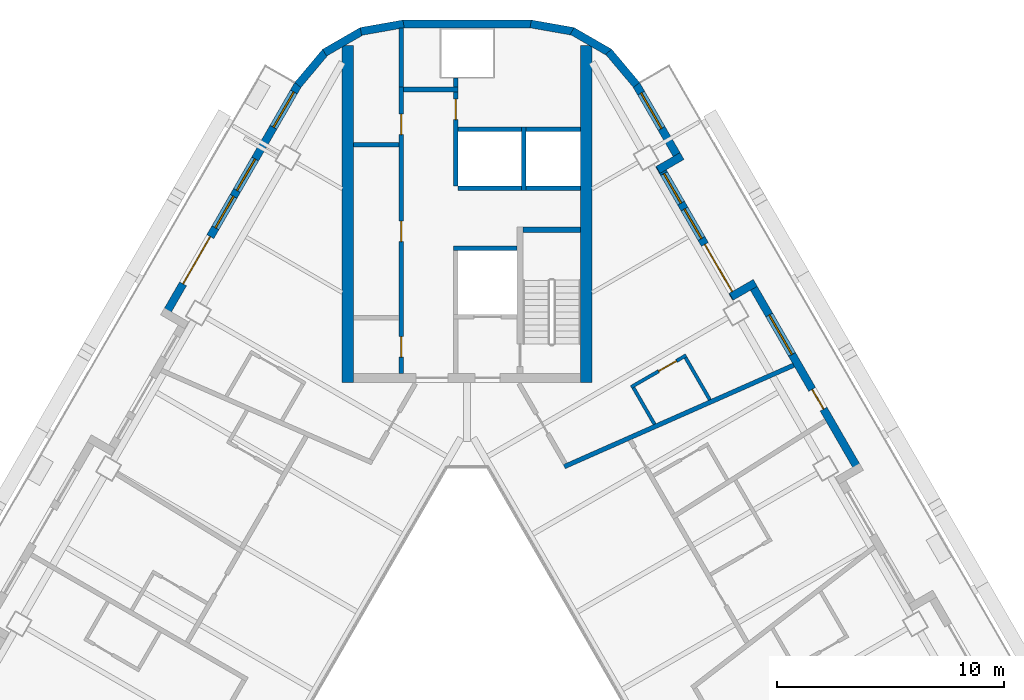
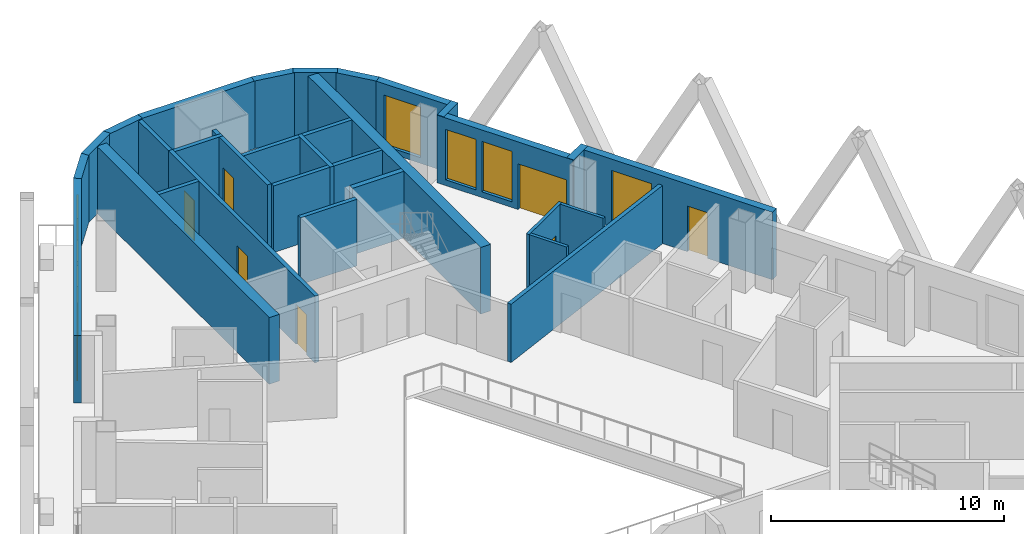
# One storey, part 7 of 14: 32 walls, 8 doors, 7 windows, 15 openings.
"""IFC4 building model written with IfcOpenShell, lengths in metres."""

from ifc_helpers import new_model, si_unit, direction, frame, frame_2d, origin, place, context, subcontext, project, spatial, rectangle, extrude, material, layer, layer_set, type_object, element, fill, save


model = new_model("IFC4")

# Units and contexts
model_context = context("Model", 3, precision=1e-05, world=origin(), true_north=direction((0.0, 1.0)))
body_context = subcontext(model_context, "Body", "Model", "MODEL_VIEW")
ifc_project = project(units=[si_unit("LENGTHUNIT", "METRE"), si_unit("AREAUNIT", "SQUARE_METRE"), si_unit("VOLUMEUNIT", "CUBIC_METRE"), si_unit("PLANEANGLEUNIT", "RADIAN"), si_unit("MASSUNIT", "GRAM", prefix="KILO")], contexts=[model_context])

# Site, building, storey
site_placement = place(None, origin())
site = spatial("IfcSite", under=ifc_project, at=site_placement, CompositionType="ELEMENT")
building_placement = place(site_placement, origin())
building = spatial("IfcBuilding", under=site, at=building_placement, Name="Apuvela Tower Hotel", CompositionType="ELEMENT")
storey_placement = place(building_placement, frame((0.0, 0.0, 176.199951171875)))
storey = spatial("IfcBuildingStorey", under=building, at=storey_placement, Name="L42", CompositionType="ELEMENT", Elevation=176.199951171875)

# Walls
ifc_material_1 = material(Name="Concrete C50/60", Category="concrete")
ifc_layer_1 = layer(ifc_material_1, 0.5)
ifc_layer_set_1 = layer_set([ifc_layer_1], Name="COR-WALL-CORE-500")
wall_type_1 = type_object("IfcWallType", Name="COR-WALL-CORE-500", PredefinedType="SHEAR", material=ifc_layer_set_1)
for number, where, z_axis, x_axis, name in (
    (1, (5.25, 12.89990234375, 0.0), (0.0, 0.0, 1.0), (0.0, 1.0, 0.0), "Core wall N"),
    (2, (-5.25, 12.89990234375, 0.0), (0.0, 0.0, 1.0), (0.0, 1.0, 0.0), "Core wall N"),
):
    element("IfcWall", number, at=place(storey_placement, frame(where, z_axis=z_axis, x_axis=x_axis)), inside=storey, type_object=wall_type_1, Name=name, PredefinedType="SHEAR", context=body_context, shape_type="SweptSolid", body=[
        extrude(rectangle(XDim=14.8369140625, YDim=0.5, at=frame_2d((7.41845703125, 0.0))), origin(), (0.0, 0.0, 1.0), 3.5),
    ])
ifc_material_2 = material(Name="Blockwork 200 mm plastered", Category="masonry")
ifc_layer_2 = layer(ifc_material_2, 0.199951171875)
ifc_layer_set_2 = layer_set([ifc_layer_2], Name="COR-WALL-PART-200")
wall_type_2 = type_object("IfcWallType", Name="COR-WALL-PART-200", PredefinedType="PARTITIONING", material=ifc_layer_set_2)
wall_1_placement = place(storey_placement, frame((5.0, 21.449951171875, 0.0), z_axis=(0.0, 0.0, 1.0), x_axis=(-1.0, 0.0, 0.0)))
element("IfcWall", 3, at=wall_1_placement, inside=storey, type_object=wall_type_2, Name="Partition N", PredefinedType="PARTITIONING", context=body_context, shape_type="SweptSolid", body=[
    extrude(rectangle(XDim=2.39990234375, YDim=0.199951171875, at=frame_2d((1.199951171875, 0.0))), origin(), (0.0, 0.0, 1.0), 3.5),
])
wall_2_placement = place(storey_placement, frame((2.39990234375, 21.449951171875, 0.0), z_axis=(0.0, 0.0, 1.0), x_axis=(-1.0, 0.0, 0.0)))
element("IfcWall", 4, at=wall_2_placement, inside=storey, type_object=wall_type_2, Name="Partition N", PredefinedType="PARTITIONING", context=body_context, shape_type="SweptSolid", body=[
    extrude(rectangle(XDim=2.7998046875, YDim=0.199951171875, at=frame_2d((1.39990234375, 0.0))), origin(), (0.0, 0.0, 1.0), 3.5),
])
ifc_layer_3 = layer(ifc_material_1, 0.199951171875)
ifc_layer_set_3 = layer_set([ifc_layer_3], Name="COR-WALL-SHAFT-200")
wall_type_3 = type_object("IfcWallType", Name="COR-WALL-SHAFT-200", PredefinedType="SHEAR", material=ifc_layer_set_3)
wall_3_placement = place(storey_placement, frame((2.199951171875, 18.800048828125, 0.0), z_axis=(0.0, 0.0, 1.0), x_axis=(-1.0, 0.0, 0.0)))
element("IfcWall", 5, at=wall_3_placement, inside=storey, type_object=wall_type_3, Name="Shaft wall N", PredefinedType="SHEAR", context=body_context, shape_type="SweptSolid", body=[
    extrude(rectangle(XDim=2.800048828125, YDim=0.199951171875, at=frame_2d((1.39990234375, 0.0))), origin(), (0.0, 0.0, 1.0), 3.5),
])

# Wall, openings, doors
wall_4_placement = place(storey_placement, frame((-2.89990234375, 13.300048828125, 0.0), z_axis=(0.0, 0.0, 1.0), x_axis=(0.0, 1.0, 0.0)))
wall_4 = element("IfcWall", 6, at=wall_4_placement, inside=storey, type_object=wall_type_3, Name="Shaft wall N", PredefinedType="SHEAR", context=body_context, shape_type="SweptSolid", body=[
    extrude(rectangle(XDim=12.599853515625, YDim=0.199951171875, at=frame_2d((6.2998046875, 0.0))), origin(), (0.0, 0.0, 1.0), 3.5),
])
opening_1_placement = place(wall_4_placement, frame((0.719970703125, 0.0, 0.0)))
opening_1 = element("IfcOpeningElement", 7, at=opening_1_placement, cuts=wall_4, Name="Opening N-RE1", PredefinedType="OPENING", context=body_context, shape_type="SweptSolid", body=[
    extrude(rectangle(XDim=0.89990234375, YDim=2.10009765625, at=frame_2d((0.449951171875, 1.050048828125))), frame((0.0, 0.10986328125, 0.0), z_axis=(0.0, -1.0, 0.0), x_axis=(1.0, 0.0, 0.0)), (0.0, 0.0, 1.0), 0.219970703125),
])
opening_2_placement = place(wall_4_placement, frame((5.800048828125, 0.0, 0.0)))
opening_2 = element("IfcOpeningElement", 8, at=opening_2_placement, cuts=wall_4, Name="Opening N-RE2", PredefinedType="OPENING", context=body_context, shape_type="SweptSolid", body=[
    extrude(rectangle(XDim=0.89990234375, YDim=2.10009765625, at=frame_2d((0.449951171875, 1.050048828125))), frame((0.0, 0.10986328125, 0.0), z_axis=(0.0, -1.0, 0.0), x_axis=(1.0, 0.0, 0.0)), (0.0, 0.0, 1.0), 0.219970703125),
])
opening_3_placement = place(wall_4_placement, frame((10.510009765625, 0.0, 0.0)))
opening_3 = element("IfcOpeningElement", 9, at=opening_3_placement, cuts=wall_4, Name="Opening N-REP", PredefinedType="OPENING", context=body_context, shape_type="SweptSolid", body=[
    extrude(rectangle(XDim=0.89990234375, YDim=2.10009765625, at=frame_2d((0.449951171875, 1.050048828125))), frame((0.0, 0.10986328125, 0.0), z_axis=(0.0, -1.0, 0.0), x_axis=(1.0, 0.0, 0.0)), (0.0, 0.0, 1.0), 0.219970703125),
])
ifc_material_3 = material(Name="Steel fire door, powder coated", Category="steel")
door_type_1 = type_object("IfcDoorType", Name="COR-DR-900", OperationType="NOTDEFINED", PredefinedType="DOOR", material=ifc_material_3)
door_1_placement = place(opening_1_placement, origin())
door_1 = element("IfcDoor", 10, at=door_1_placement, inside=storey, type_object=door_type_1, Name="Store door N-RE1", OperationType="SINGLE_SWING_LEFT", OverallHeight=2.10009765625, OverallWidth=0.89990234375, PredefinedType="DOOR", context=body_context, shape_type="SweptSolid", body=[
    extrude(rectangle(XDim=0.89990234375, YDim=2.10009765625, at=frame_2d((0.449951171875, 1.050048828125))), frame((0.0, 0.02490234375, 0.0), z_axis=(0.0, -1.0, 0.0), x_axis=(1.0, 0.0, 0.0)), (0.0, 0.0, 1.0), 0.050048828125),
])
fill(opening_1, door_1)
door_2_placement = place(opening_2_placement, origin())
door_2 = element("IfcDoor", 11, at=door_2_placement, inside=storey, type_object=door_type_1, Name="Store door N-RE2", OperationType="SINGLE_SWING_RIGHT", OverallHeight=2.10009765625, OverallWidth=0.89990234375, PredefinedType="DOOR", context=body_context, shape_type="SweptSolid", body=[
    extrude(rectangle(XDim=0.89990234375, YDim=2.10009765625, at=frame_2d((0.449951171875, 1.050048828125))), frame((0.0, 0.02490234375, 0.0), z_axis=(0.0, -1.0, 0.0), x_axis=(1.0, 0.0, 0.0)), (0.0, 0.0, 1.0), 0.050048828125),
])
fill(opening_2, door_2)
door_3_placement = place(opening_3_placement, origin())
door_3 = element("IfcDoor", 12, at=door_3_placement, inside=storey, type_object=door_type_1, Name="Store door N-REP", OperationType="SINGLE_SWING_RIGHT", OverallHeight=2.10009765625, OverallWidth=0.89990234375, PredefinedType="DOOR", context=body_context, shape_type="SweptSolid", body=[
    extrude(rectangle(XDim=0.89990234375, YDim=2.10009765625, at=frame_2d((0.449951171875, 1.050048828125))), frame((0.0, 0.02490234375, 0.0), z_axis=(0.0, -1.0, 0.0), x_axis=(1.0, 0.0, 0.0)), (0.0, 0.0, 1.0), 0.050048828125),
])
fill(opening_3, door_3)

# Wall
wall_5_placement = place(storey_placement, frame((-0.39990234375, 25.800048828125, 0.0), z_axis=(0.0, 0.0, 1.0), x_axis=(-1.0, 0.0, 0.0)))
element("IfcWall", 13, at=wall_5_placement, inside=storey, type_object=wall_type_3, Name="Shaft wall N", PredefinedType="SHEAR", context=body_context, shape_type="SweptSolid", body=[
    extrude(rectangle(XDim=2.400146484375, YDim=0.199951171875, at=frame_2d((1.2001953125, 0.0))), origin(), (0.0, 0.0, 1.0), 3.5),
])

# Wall, opening, door
wall_6_placement = place(storey_placement, frame((-0.5, 21.550048828125, 0.0), z_axis=(0.0, 0.0, 1.0), x_axis=(0.0, 1.0, 0.0)))
wall_6 = element("IfcWall", 14, at=wall_6_placement, inside=storey, type_object=wall_type_3, Name="Shaft wall N", PredefinedType="SHEAR", context=body_context, shape_type="SweptSolid", body=[
    extrude(rectangle(XDim=4.14990234375, YDim=0.199951171875, at=frame_2d((2.074951171875, 0.0))), origin(), (0.0, 0.0, 1.0), 3.5),
])
opening_4_placement = place(wall_6_placement, frame((2.925048828125, 0.0, 0.0)))
opening_4 = element("IfcOpeningElement", 15, at=opening_4_placement, cuts=wall_6, Name="Opening N-RSP", PredefinedType="OPENING", context=body_context, shape_type="SweptSolid", body=[
    extrude(rectangle(XDim=0.89990234375, YDim=2.10009765625, at=frame_2d((0.449951171875, 1.050048828125))), frame((0.0, 0.10986328125, 0.0), z_axis=(0.0, -1.0, 0.0), x_axis=(1.0, 0.0, 0.0)), (0.0, 0.0, 1.0), 0.219970703125),
])
door_4_placement = place(opening_4_placement, frame((0.89990234375, 0.0, 0.0), z_axis=(0.0, 0.0, 1.0), x_axis=(-1.0, 0.0, 0.0)))
door_4 = element("IfcDoor", 16, at=door_4_placement, inside=storey, type_object=door_type_1, Name="Store door N-RSP", OperationType="SINGLE_SWING_LEFT", OverallHeight=2.10009765625, OverallWidth=0.89990234375, PredefinedType="DOOR", context=body_context, shape_type="SweptSolid", body=[
    extrude(rectangle(XDim=0.89990234375, YDim=2.10009765625, at=frame_2d((0.449951171875, 1.050048828125))), frame((0.0, 0.02490234375, 0.0), z_axis=(0.0, -1.0, 0.0), x_axis=(1.0, 0.0, 0.0)), (0.0, 0.0, 1.0), 0.050048828125),
])
fill(opening_4, door_4)

# Walls
wall_7_placement = place(storey_placement, frame((-3.0, 23.360107421875, 0.0), z_axis=(0.0, 0.0, 1.0), x_axis=(-1.0, 0.0, 0.0)))
element("IfcWall", 17, at=wall_7_placement, inside=storey, type_object=wall_type_3, Name="Shaft wall N", PredefinedType="SHEAR", context=body_context, shape_type="SweptSolid", body=[
    extrude(rectangle(XDim=2.0, YDim=0.199951171875, at=frame_2d((1.0, 0.0))), origin(), (0.0, 0.0, 1.0), 3.5),
])
wall_8_placement = place(storey_placement, frame((-0.5, 25.89990234375, 0.0), z_axis=(0.0, 0.0, 1.0), x_axis=(0.0, 1.0, 0.0)))
element("IfcWall", 18, at=wall_8_placement, inside=storey, type_object=wall_type_3, Name="Shaft wall N", PredefinedType="SHEAR", context=body_context, shape_type="SweptSolid", body=[
    extrude(rectangle(XDim=0.400146484375, YDim=0.199951171875, at=frame_2d((0.2001953125, 0.0))), origin(), (0.0, 0.0, 1.0), 3.5),
])
wall_9_placement = place(storey_placement, frame((-2.89990234375, 25.89990234375, 0.0), z_axis=(0.0, 0.0, 1.0), x_axis=(0.0, 1.0, 0.0)))
element("IfcWall", 19, at=wall_9_placement, inside=storey, type_object=wall_type_3, Name="Shaft wall N", PredefinedType="SHEAR", context=body_context, shape_type="SweptSolid", body=[
    extrude(rectangle(XDim=2.60009765625, YDim=0.199951171875, at=frame_2d((1.300048828125, 0.0))), origin(), (0.0, 0.0, 1.0), 3.5),
])
wall_10_placement = place(storey_placement, frame((2.5, 21.35009765625, 0.0), z_axis=(0.0, 0.0, 1.0), x_axis=(0.0, 1.0, 0.0)))
element("IfcWall", 20, at=wall_10_placement, inside=storey, type_object=wall_type_3, Name="Shaft wall N", PredefinedType="SHEAR", context=body_context, shape_type="SweptSolid", body=[
    extrude(rectangle(XDim=2.7998046875, YDim=0.199951171875, at=frame_2d((1.39990234375, 0.0))), origin(), (0.0, 0.0, 1.0), 3.5),
])
wall_11_placement = place(storey_placement, frame((5.0, 24.050048828125, 0.0), z_axis=(0.0, 0.0, 1.0), x_axis=(-1.0, 0.0, 0.0)))
element("IfcWall", 21, at=wall_11_placement, inside=storey, type_object=wall_type_3, Name="Shaft wall N", PredefinedType="SHEAR", context=body_context, shape_type="SweptSolid", body=[
    extrude(rectangle(XDim=2.39990234375, YDim=0.199951171875, at=frame_2d((1.199951171875, 0.0))), origin(), (0.0, 0.0, 1.0), 3.5),
])
wall_12_placement = place(storey_placement, frame((2.39990234375, 24.050048828125, 0.0), z_axis=(0.0, 0.0, 1.0), x_axis=(-1.0, 0.0, 0.0)))
element("IfcWall", 22, at=wall_12_placement, inside=storey, type_object=wall_type_3, Name="Shaft wall N", PredefinedType="SHEAR", context=body_context, shape_type="SweptSolid", body=[
    extrude(rectangle(XDim=2.7998046875, YDim=0.199951171875, at=frame_2d((1.39990234375, 0.0))), origin(), (0.0, 0.0, 1.0), 3.5),
])
ifc_layer_4 = layer(ifc_material_1, 0.25)
ifc_layer_set_4 = layer_set([ifc_layer_4], Name="COR-WALL-STAIR-250")
wall_type_4 = type_object("IfcWallType", Name="COR-WALL-STAIR-250", PredefinedType="SHEAR", material=ifc_layer_set_4)
wall_13_placement = place(storey_placement, frame((5.0, 19.625, 0.0), z_axis=(0.0, 0.0, 1.0), x_axis=(-1.0, 0.0, 0.0)))
element("IfcWall", 23, at=wall_13_placement, inside=storey, type_object=wall_type_4, Name="Stair wall N", PredefinedType="SHEAR", context=body_context, shape_type="SweptSolid", body=[
    extrude(rectangle(XDim=2.550048828125, YDim=0.25, at=frame_2d((1.27490234375, 0.0))), origin(), (0.0, 0.0, 1.0), 3.5),
])

# Wall, openings, door, windows
ifc_material_4 = material(Name="Concrete C40/50, dark pigmented precast panel", Category="concrete")
ifc_layer_5 = layer(ifc_material_4, 0.35009765625)
ifc_layer_set_5 = layer_set([ifc_layer_5], Name="ENV-WALL-350")
wall_type_5 = type_object("IfcWallType", Name="ENV-WALL-350", PredefinedType="SOLIDWALL", material=ifc_layer_set_5)
wall_14_placement = place(storey_placement, frame((-7.440673828125, 26.0224609375, 0.0), z_axis=(0.0, 0.0, 1.0), x_axis=(-0.499992533062, -0.86602971478, 0.0)))
wall_14 = element("IfcWall", 24, at=wall_14_placement, inside=storey, type_object=wall_type_5, Name="External wall L42-01", PredefinedType="SOLIDWALL", context=body_context, shape_type="SweptSolid", body=[
    extrude(rectangle(XDim=11.815673828125, YDim=0.35009765625, at=frame_2d((5.90771484375, 0.0))), origin(), (0.0, 0.0, 1.0), 3.550048828125),
])
opening_5_placement = place(wall_14_placement, frame((0.381103515625, 0.0, 0.300048828125)))
opening_5 = element("IfcOpeningElement", 25, at=opening_5_placement, cuts=wall_14, Name="Opening WN18", PredefinedType="OPENING", context=body_context, shape_type="SweptSolid", body=[
    extrude(rectangle(XDim=1.800048828125, YDim=2.64990234375, at=frame_2d((0.89990234375, 1.324951171875))), frame((0.0, 0.18505859375, 0.0), z_axis=(0.0, -1.0, 0.0), x_axis=(1.0, 0.0, 0.0)), (0.0, 0.0, 1.0), 0.3701171875),
])
opening_6_placement = place(wall_14_placement, frame((7.740478515625, 0.0, 0.0)))
opening_6 = element("IfcOpeningElement", 26, at=opening_6_placement, cuts=wall_14, Name="Opening BD24", PredefinedType="OPENING", context=body_context, shape_type="SweptSolid", body=[
    extrude(rectangle(XDim=2.39990234375, YDim=2.39990234375, at=frame_2d((1.199951171875, 1.199951171875))), frame((0.0, 0.18505859375, 0.0), z_axis=(0.0, -1.0, 0.0), x_axis=(1.0, 0.0, 0.0)), (0.0, 0.0, 1.0), 0.3701171875),
])
opening_7_placement = place(wall_14_placement, frame((3.791015625, 0.0, 0.300048828125)))
opening_7 = element("IfcOpeningElement", 27, at=opening_7_placement, cuts=wall_14, Name="Opening WN16", PredefinedType="OPENING", context=body_context, shape_type="SweptSolid", body=[
    extrude(rectangle(XDim=1.60009765625, YDim=2.64990234375, at=frame_2d((0.800048828125, 1.324951171875))), frame((0.0, 0.18505859375, 0.0), z_axis=(0.0, -1.0, 0.0), x_axis=(1.0, 0.0, 0.0)), (0.0, 0.0, 1.0), 0.3701171875),
])
opening_8_placement = place(wall_14_placement, frame((5.69091796875, 0.0, 0.300048828125)))
opening_8 = element("IfcOpeningElement", 28, at=opening_8_placement, cuts=wall_14, Name="Opening WN16", PredefinedType="OPENING", context=body_context, shape_type="SweptSolid", body=[
    extrude(rectangle(XDim=1.60009765625, YDim=2.64990234375, at=frame_2d((0.800048828125, 1.324951171875))), frame((0.0, 0.18505859375, 0.0), z_axis=(0.0, -1.0, 0.0), x_axis=(1.0, 0.0, 0.0)), (0.0, 0.0, 1.0), 0.3701171875),
])
ifc_material_5 = material(Name="Aluminium 6063-T6, dark bronze anodised frame with dark tinted laminated glass", Category="aluminium")
door_type_2 = type_object("IfcDoorType", Name="ENV-DOOR-BALCONY-2400x2400", OperationType="SLIDING_TO_LEFT", PredefinedType="DOOR", material=ifc_material_5)
door_5_placement = place(opening_6_placement, frame((2.39990234375, 0.0, 0.0), z_axis=(0.0, 0.0, 1.0), x_axis=(-1.0, 0.0, 0.0)))
door_5 = element("IfcDoor", 29, at=door_5_placement, inside=storey, type_object=door_type_2, Name="Balcony door BD24", OperationType="SLIDING_TO_LEFT", OverallHeight=2.39990234375, OverallWidth=2.39990234375, PredefinedType="DOOR", context=body_context, shape_type="SweptSolid", body=[
    extrude(rectangle(XDim=2.39990234375, YDim=2.39990234375, at=frame_2d((1.199951171875, 1.199951171875))), frame((0.0, 0.02490234375, 0.0), z_axis=(0.0, -1.0, 0.0), x_axis=(1.0, 0.0, 0.0)), (0.0, 0.0, 1.0), 0.050048828125),
])
fill(opening_6, door_5)
ifc_material_6 = material(Name="Glass, dark tinted laminated insulated glazing unit", Category="glass")
window_type_1 = type_object("IfcWindowType", Name="ENV-WIN-1600x2650", PartitioningType="SINGLE_PANEL", PredefinedType="WINDOW", material=ifc_material_6)
window_1_placement = place(opening_7_placement, origin())
window_1 = element("IfcWindow", 30, at=window_1_placement, inside=storey, type_object=window_type_1, Name="Window WN16", OverallHeight=2.64990234375, OverallWidth=1.60009765625, PartitioningType="SINGLE_PANEL", PredefinedType="WINDOW", context=body_context, shape_type="SweptSolid", body=[
    extrude(rectangle(XDim=1.60009765625, YDim=2.64990234375, at=frame_2d((0.800048828125, 1.324951171875))), frame((0.0, 0.030029296875, 0.0), z_axis=(0.0, -1.0, 0.0), x_axis=(1.0, 0.0, 0.0)), (0.0, 0.0, 1.0), 0.06005859375),
])
fill(opening_7, window_1)
window_2_placement = place(opening_8_placement, origin())
window_2 = element("IfcWindow", 31, at=window_2_placement, inside=storey, type_object=window_type_1, Name="Window WN16", OverallHeight=2.64990234375, OverallWidth=1.60009765625, PartitioningType="SINGLE_PANEL", PredefinedType="WINDOW", context=body_context, shape_type="SweptSolid", body=[
    extrude(rectangle(XDim=1.60009765625, YDim=2.64990234375, at=frame_2d((0.800048828125, 1.324951171875))), frame((0.0, 0.030029296875, 0.0), z_axis=(0.0, -1.0, 0.0), x_axis=(1.0, 0.0, 0.0)), (0.0, 0.0, 1.0), 0.06005859375),
])
fill(opening_8, window_2)
window_type_2 = type_object("IfcWindowType", Name="ENV-WIN-1800x2650", PartitioningType="SINGLE_PANEL", PredefinedType="WINDOW", material=ifc_material_6)
window_3_placement = place(opening_5_placement, origin())
window_3 = element("IfcWindow", 32, at=window_3_placement, inside=storey, type_object=window_type_2, Name="Window WN18", OverallHeight=2.64990234375, OverallWidth=1.800048828125, PartitioningType="SINGLE_PANEL", PredefinedType="WINDOW", context=body_context, shape_type="SweptSolid", body=[
    extrude(rectangle(XDim=1.800048828125, YDim=2.64990234375, at=frame_2d((0.89990234375, 1.324951171875))), frame((0.0, 0.030029296875, 0.0), z_axis=(0.0, -1.0, 0.0), x_axis=(1.0, 0.0, 0.0)), (0.0, 0.0, 1.0), 0.06005859375),
])
fill(opening_5, window_3)

# Wall, openings, door, window
wall_15_placement = place(storey_placement, frame((17.298583984375, 8.947998046875, 0.0), z_axis=(0.0, 0.0, 1.0), x_axis=(-0.500010041276, 0.866019606374, 0.0)))
wall_15 = element("IfcWall", 33, at=wall_15_placement, inside=storey, type_object=wall_type_5, Name="External wall L42-37", PredefinedType="SOLIDWALL", context=body_context, shape_type="SweptSolid", body=[
    extrude(rectangle(XDim=9.699951171875, YDim=0.35009765625, at=frame_2d((4.85009765625, 0.0))), origin(), (0.0, 0.0, 1.0), 3.550048828125),
])
opening_9_placement = place(wall_15_placement, frame((3.209716796875, 0.0, 0.0)))
opening_9 = element("IfcOpeningElement", 34, at=opening_9_placement, cuts=wall_15, Name="Opening BD10", PredefinedType="OPENING", context=body_context, shape_type="SweptSolid", body=[
    extrude(rectangle(XDim=1.0, YDim=2.39990234375, at=frame_2d((0.5, 1.199951171875))), frame((0.0, 0.18505859375, 0.0), z_axis=(0.0, -1.0, 0.0), x_axis=(1.0, 0.0, 0.0)), (0.0, 0.0, 1.0), 0.3701171875),
])
opening_10_placement = place(wall_15_placement, frame((5.989990234375, 0.0, 0.300048828125)))
opening_10 = element("IfcOpeningElement", 35, at=opening_10_placement, cuts=wall_15, Name="Opening WN20", PredefinedType="OPENING", context=body_context, shape_type="SweptSolid", body=[
    extrude(rectangle(XDim=2.0, YDim=2.64990234375, at=frame_2d((1.0, 1.324951171875))), frame((0.0, 0.18505859375, 0.0), z_axis=(0.0, -1.0, 0.0), x_axis=(1.0, 0.0, 0.0)), (0.0, 0.0, 1.0), 0.3701171875),
])
door_type_3 = type_object("IfcDoorType", Name="ENV-DOOR-BALCONY-1000x2400", OperationType="SLIDING_TO_LEFT", PredefinedType="DOOR", material=ifc_material_5)
door_6_placement = place(opening_9_placement, frame((1.0, 0.0, 0.0), z_axis=(0.0, 0.0, 1.0), x_axis=(-1.0, 0.0, 0.0)))
door_6 = element("IfcDoor", 36, at=door_6_placement, inside=storey, type_object=door_type_3, Name="Balcony door BD10", OperationType="SLIDING_TO_LEFT", OverallHeight=2.39990234375, OverallWidth=1.0, PredefinedType="DOOR", context=body_context, shape_type="SweptSolid", body=[
    extrude(rectangle(XDim=1.0, YDim=2.39990234375, at=frame_2d((0.5, 1.199951171875))), frame((0.0, 0.02490234375, 0.0), z_axis=(0.0, -1.0, 0.0), x_axis=(1.0, 0.0, 0.0)), (0.0, 0.0, 1.0), 0.050048828125),
])
fill(opening_9, door_6)
window_type_3 = type_object("IfcWindowType", Name="ENV-WIN-2000x2650", PartitioningType="SINGLE_PANEL", PredefinedType="WINDOW", material=ifc_material_6)
window_4_placement = place(opening_10_placement, origin())
window_4 = element("IfcWindow", 37, at=window_4_placement, inside=storey, type_object=window_type_3, Name="Window WN20", OverallHeight=2.64990234375, OverallWidth=2.0, PartitioningType="SINGLE_PANEL", PredefinedType="WINDOW", context=body_context, shape_type="SweptSolid", body=[
    extrude(rectangle(XDim=2.0, YDim=2.64990234375, at=frame_2d((1.0, 1.324951171875))), frame((0.0, 0.030029296875, 0.0), z_axis=(0.0, -1.0, 0.0), x_axis=(1.0, 0.0, 0.0)), (0.0, 0.0, 1.0), 0.06005859375),
])
fill(opening_10, window_4)

# Wall
wall_16_placement = place(storey_placement, frame((12.6875, 17.284423828125, 0.0), z_axis=(0.0, 0.0, 1.0), x_axis=(-0.865955602162, -0.500120880472, 0.0)))
element("IfcWall", 38, at=wall_16_placement, inside=storey, type_object=wall_type_5, Name="External wall L42-38", PredefinedType="SOLIDWALL", context=body_context, shape_type="SweptSolid", body=[
    extrude(rectangle(XDim=1.219970703125, YDim=0.35009765625, at=frame_2d((0.60986328125, 0.0))), origin(), (0.0, 0.0, 1.0), 3.550048828125),
])

# Wall, openings, door, windows
wall_17_placement = place(storey_placement, frame((11.8291015625, 16.621337890625, 0.0), z_axis=(0.0, 0.0, 1.0), x_axis=(-0.500003597184, 0.866023326939, 0.0)))
wall_17 = element("IfcWall", 39, at=wall_17_placement, inside=storey, type_object=wall_type_5, Name="External wall L42-39", PredefinedType="SOLIDWALL", context=body_context, shape_type="SweptSolid", body=[
    extrude(rectangle(XDim=6.740234375, YDim=0.35009765625, at=frame_2d((3.3701171875, 0.0))), origin(), (0.0, 0.0, 1.0), 3.550048828125),
])
opening_11_placement = place(wall_17_placement, frame((0.320068359375, 0.0, 0.0)))
opening_11 = element("IfcOpeningElement", 40, at=opening_11_placement, cuts=wall_17, Name="Opening BD24", PredefinedType="OPENING", context=body_context, shape_type="SweptSolid", body=[
    extrude(rectangle(XDim=2.39990234375, YDim=2.39990234375, at=frame_2d((1.199951171875, 1.199951171875))), frame((0.0, 0.18505859375, 0.0), z_axis=(0.0, -1.0, 0.0), x_axis=(1.0, 0.0, 0.0)), (0.0, 0.0, 1.0), 0.3701171875),
])
opening_12_placement = place(wall_17_placement, frame((3.02001953125, 0.0, 0.300048828125)))
opening_12 = element("IfcOpeningElement", 41, at=opening_12_placement, cuts=wall_17, Name="Opening WN15", PredefinedType="OPENING", context=body_context, shape_type="SweptSolid", body=[
    extrude(rectangle(XDim=1.5, YDim=2.64990234375, at=frame_2d((0.75, 1.324951171875))), frame((0.0, 0.18505859375, 0.0), z_axis=(0.0, -1.0, 0.0), x_axis=(1.0, 0.0, 0.0)), (0.0, 0.0, 1.0), 0.3701171875),
])
opening_13_placement = place(wall_17_placement, frame((4.820068359375, 0.0, 0.300048828125)))
opening_13 = element("IfcOpeningElement", 42, at=opening_13_placement, cuts=wall_17, Name="Opening WN15", PredefinedType="OPENING", context=body_context, shape_type="SweptSolid", body=[
    extrude(rectangle(XDim=1.5, YDim=2.64990234375, at=frame_2d((0.75, 1.324951171875))), frame((0.0, 0.18505859375, 0.0), z_axis=(0.0, -1.0, 0.0), x_axis=(1.0, 0.0, 0.0)), (0.0, 0.0, 1.0), 0.3701171875),
])
door_7_placement = place(opening_11_placement, frame((2.39990234375, 0.0, 0.0), z_axis=(0.0, 0.0, 1.0), x_axis=(-1.0, 0.0, 0.0)))
door_7 = element("IfcDoor", 43, at=door_7_placement, inside=storey, type_object=door_type_2, Name="Balcony door BD24", OperationType="SLIDING_TO_LEFT", OverallHeight=2.39990234375, OverallWidth=2.39990234375, PredefinedType="DOOR", context=body_context, shape_type="SweptSolid", body=[
    extrude(rectangle(XDim=2.39990234375, YDim=2.39990234375, at=frame_2d((1.199951171875, 1.199951171875))), frame((0.0, 0.02490234375, 0.0), z_axis=(0.0, -1.0, 0.0), x_axis=(1.0, 0.0, 0.0)), (0.0, 0.0, 1.0), 0.050048828125),
])
fill(opening_11, door_7)
window_type_4 = type_object("IfcWindowType", Name="ENV-WIN-1500x2650", PartitioningType="SINGLE_PANEL", PredefinedType="WINDOW", material=ifc_material_6)
window_5_placement = place(opening_12_placement, origin())
window_5 = element("IfcWindow", 44, at=window_5_placement, inside=storey, type_object=window_type_4, Name="Window WN15", OverallHeight=2.64990234375, OverallWidth=1.5, PartitioningType="SINGLE_PANEL", PredefinedType="WINDOW", context=body_context, shape_type="SweptSolid", body=[
    extrude(rectangle(XDim=1.5, YDim=2.64990234375, at=frame_2d((0.75, 1.324951171875))), frame((0.0, 0.030029296875, 0.0), z_axis=(0.0, -1.0, 0.0), x_axis=(1.0, 0.0, 0.0)), (0.0, 0.0, 1.0), 0.06005859375),
])
fill(opening_12, window_5)
window_6_placement = place(opening_13_placement, origin())
window_6 = element("IfcWindow", 45, at=window_6_placement, inside=storey, type_object=window_type_4, Name="Window WN15", OverallHeight=2.64990234375, OverallWidth=1.5, PartitioningType="SINGLE_PANEL", PredefinedType="WINDOW", context=body_context, shape_type="SweptSolid", body=[
    extrude(rectangle(XDim=1.5, YDim=2.64990234375, at=frame_2d((0.75, 1.324951171875))), frame((0.0, 0.030029296875, 0.0), z_axis=(0.0, -1.0, 0.0), x_axis=(1.0, 0.0, 0.0)), (0.0, 0.0, 1.0), 0.06005859375),
])
fill(opening_13, window_6)

# Wall
wall_18_placement = place(storey_placement, frame((8.406005859375, 22.26025390625, 0.0), z_axis=(0.0, 0.0, 1.0), x_axis=(0.865955602162, 0.500120880472, 0.0)))
element("IfcWall", 46, at=wall_18_placement, inside=storey, type_object=wall_type_5, Name="External wall L42-40", PredefinedType="SOLIDWALL", context=body_context, shape_type="SweptSolid", body=[
    extrude(rectangle(XDim=1.219970703125, YDim=0.35009765625, at=frame_2d((0.60986328125, 0.0))), origin(), (0.0, 0.0, 1.0), 3.550048828125),
])

# Wall, opening, window
wall_19_placement = place(storey_placement, frame((9.3984375, 22.631103515625, 0.0), z_axis=(0.0, 0.0, 1.0), x_axis=(-0.499954521343, 0.866051659307, 0.0)))
wall_19 = element("IfcWall", 47, at=wall_19_placement, inside=storey, type_object=wall_type_5, Name="External wall L42-41", PredefinedType="SOLIDWALL", context=body_context, shape_type="SweptSolid", body=[
    extrude(rectangle(XDim=3.915771484375, YDim=0.35009765625, at=frame_2d((1.9580078125, 0.0))), origin(), (0.0, 0.0, 1.0), 3.550048828125),
])
opening_14_placement = place(wall_19_placement, frame((1.67529296875, 0.0, 0.300048828125)))
opening_14 = element("IfcOpeningElement", 48, at=opening_14_placement, cuts=wall_19, Name="Opening WN18", PredefinedType="OPENING", context=body_context, shape_type="SweptSolid", body=[
    extrude(rectangle(XDim=1.800048828125, YDim=2.64990234375, at=frame_2d((0.89990234375, 1.324951171875))), frame((0.0, 0.18505859375, 0.0), z_axis=(0.0, -1.0, 0.0), x_axis=(1.0, 0.0, 0.0)), (0.0, 0.0, 1.0), 0.3701171875),
])
window_7_placement = place(opening_14_placement, origin())
window_7 = element("IfcWindow", 49, at=window_7_placement, inside=storey, type_object=window_type_2, Name="Window WN18", OverallHeight=2.64990234375, OverallWidth=1.800048828125, PartitioningType="SINGLE_PANEL", PredefinedType="WINDOW", context=body_context, shape_type="SweptSolid", body=[
    extrude(rectangle(XDim=1.800048828125, YDim=2.64990234375, at=frame_2d((0.89990234375, 1.324951171875))), frame((0.0, 0.030029296875, 0.0), z_axis=(0.0, -1.0, 0.0), x_axis=(1.0, 0.0, 0.0)), (0.0, 0.0, 1.0), 0.06005859375),
])
fill(opening_14, window_7)

# Walls
wall_20_placement = place(storey_placement, frame((7.4580078125, 25.99755859375, 0.0), z_axis=(0.0, 0.0, 1.0), x_axis=(-0.642808304945, 0.766027077259, 0.0)))
element("IfcWall", 50, at=wall_20_placement, inside=storey, type_object=wall_type_5, Name="External wall L42-42", PredefinedType="SOLIDWALL", context=body_context, shape_type="SweptSolid", body=[
    extrude(rectangle(XDim=1.909912109375, YDim=0.35009765625, at=frame_2d((0.955078125, 0.0))), origin(), (0.0, 0.0, 1.0), 3.550048828125),
])
for number, where, z_axis, x_axis, name in (
    (51, (6.27685546875, 27.421630859375, 0.0), (0.0, 0.0, 1.0), (-0.866032345022, 0.499987977232, 0.0), "External wall L42-43"),
    (52, (4.6796875, 28.35595703125, 0.0), (0.0, 0.0, 1.0), (-0.984798995425, 0.173697837091, 0.0), "External wall L42-44"),
):
    element("IfcWall", number, at=place(storey_placement, frame(where, z_axis=z_axis, x_axis=x_axis)), inside=storey, type_object=wall_type_5, Name=name, PredefinedType="SOLIDWALL", context=body_context, shape_type="SweptSolid", body=[
        extrude(rectangle(XDim=1.91015625, YDim=0.35009765625, at=frame_2d((0.955078125, 0.0))), origin(), (0.0, 0.0, 1.0), 3.550048828125),
    ])
wall_21_placement = place(storey_placement, frame((2.8291015625, 28.68505859375, 0.0), z_axis=(0.0, 0.0, 1.0), x_axis=(-1.0, 0.0, 0.0)))
element("IfcWall", 53, at=wall_21_placement, inside=storey, type_object=wall_type_5, Name="External wall L42-45", PredefinedType="SOLIDWALL", context=body_context, shape_type="SweptSolid", body=[
    extrude(rectangle(XDim=5.658203125, YDim=0.35009765625, at=frame_2d((2.8291015625, 0.0))), origin(), (0.0, 0.0, 1.0), 3.550048828125),
])
for number, where, z_axis, x_axis, name in (
    (54, (-2.798583984375, 28.687744140625, 0.0), (0.0, 0.0, 1.0), (-0.984798995425, -0.173697837091, 0.0), "External wall L42-46"),
    (55, (-4.62255859375, 28.376708984375, 0.0), (0.0, 0.0, 1.0), (-0.866032345022, -0.499987977232, 0.0), "External wall L42-47"),
):
    element("IfcWall", number, at=place(storey_placement, frame(where, z_axis=z_axis, x_axis=x_axis)), inside=storey, type_object=wall_type_5, Name=name, PredefinedType="SOLIDWALL", context=body_context, shape_type="SweptSolid", body=[
        extrude(rectangle(XDim=1.91015625, YDim=0.35009765625, at=frame_2d((0.955078125, 0.0))), origin(), (0.0, 0.0, 1.0), 3.550048828125),
    ])
wall_22_placement = place(storey_placement, frame((-6.230224609375, 27.460693359375, 0.0), z_axis=(0.0, 0.0, 1.0), x_axis=(-0.642808304945, -0.766027077259, 0.0)))
element("IfcWall", 56, at=wall_22_placement, inside=storey, type_object=wall_type_5, Name="External wall L42-48", PredefinedType="SOLIDWALL", context=body_context, shape_type="SweptSolid", body=[
    extrude(rectangle(XDim=1.909912109375, YDim=0.35009765625, at=frame_2d((0.955078125, 0.0))), origin(), (0.0, 0.0, 1.0), 3.550048828125),
])
ifc_material_7 = material(Name="Gypsum board partition on twin steel stud", Category="steel")
ifc_layer_6 = layer(ifc_material_7, 0.199951171875)
ifc_layer_set_6 = layer_set([ifc_layer_6], Name="GST-PW1")
wall_type_6 = type_object("IfcWallType", Name="GST-PW1", PredefinedType="PARTITIONING", material=ifc_layer_set_6)
wall_23_placement = place(storey_placement, frame((14.376953125, 13.658447265625, 0.0), z_axis=(0.0, 0.0, 1.0), x_axis=(-0.914546661299, -0.404480412762, 0.0)))
element("IfcWall", 57, at=wall_23_placement, inside=storey, type_object=wall_type_6, Name="L42 partition 06", PredefinedType="PARTITIONING", context=body_context, shape_type="SweptSolid", body=[
    extrude(rectangle(XDim=11.043212890625, YDim=0.199951171875, at=frame_2d((5.521484375, 0.0))), origin(), (0.0, 0.0, 1.0), 3.06005859375),
])

# Wall, opening, door
ifc_material_8 = material(Name="Moisture-resistant gypsum board wet wall on steel stud", Category="steel")
ifc_layer_7 = layer(ifc_material_8, 0.14990234375)
ifc_layer_set_7 = layer_set([ifc_layer_7], Name="GST-PW3")
wall_type_7 = type_object("IfcWallType", Name="GST-PW3", PredefinedType="PARTITIONING", material=ifc_layer_set_7)
wall_24_placement = place(storey_placement, frame((9.64453125, 14.09521484375, 0.0), z_axis=(0.0, 0.0, 1.0), x_axis=(-0.865996816683, -0.500049511043, 0.0)))
wall_24 = element("IfcWall", 58, at=wall_24_placement, inside=storey, type_object=wall_type_7, Name="L42 partition 35", PredefinedType="PARTITIONING", context=body_context, shape_type="SweptSolid", body=[
    extrude(rectangle(XDim=2.800048828125, YDim=0.14990234375, at=frame_2d((1.39990234375, 0.0))), origin(), (0.0, 0.0, 1.0), 3.550048828125),
])
opening_15_placement = place(wall_24_placement, frame((0.5, 0.0, 0.0)))
opening_15 = element("IfcOpeningElement", 59, at=opening_15_placement, cuts=wall_24, Name="Opening GD16-15", PredefinedType="OPENING", context=body_context, shape_type="SweptSolid", body=[
    extrude(rectangle(XDim=0.89990234375, YDim=2.10009765625, at=frame_2d((0.449951171875, 1.050048828125))), frame((0.0, 0.0849609375, 0.0), z_axis=(0.0, -1.0, 0.0), x_axis=(1.0, 0.0, 0.0)), (0.0, 0.0, 1.0), 0.169921875),
])
ifc_material_9 = material(Name="Timber door leaf in steel frame", Category="steel")
door_type_4 = type_object("IfcDoorType", Name="GST-D2", OperationType="NOTDEFINED", PredefinedType="DOOR", material=ifc_material_9)
door_8_placement = place(opening_15_placement, origin())
door_8 = element("IfcDoor", 60, at=door_8_placement, inside=storey, type_object=door_type_4, Name="Door L42-15", OperationType="SINGLE_SWING_LEFT", OverallHeight=2.10009765625, OverallWidth=0.89990234375, PredefinedType="DOOR", context=body_context, shape_type="SweptSolid", body=[
    extrude(rectangle(XDim=0.89990234375, YDim=2.10009765625, at=frame_2d((0.449951171875, 1.050048828125))), frame((0.0, 0.02490234375, 0.0), z_axis=(0.0, -1.0, 0.0), x_axis=(1.0, 0.0, 0.0)), (0.0, 0.0, 1.0), 0.050048828125),
])
fill(opening_15, door_8)

# Walls
wall_25_placement = place(storey_placement, frame((10.688720703125, 12.136474609375, 0.0), z_axis=(0.0, 0.0, 1.0), x_axis=(-0.499949244157, 0.866054705701, 0.0)))
element("IfcWall", 61, at=wall_25_placement, inside=storey, type_object=wall_type_7, Name="L42 partition 36", PredefinedType="PARTITIONING", context=body_context, shape_type="SweptSolid", body=[
    extrude(rectangle(XDim=2.143310546875, YDim=0.14990234375, at=frame_2d((1.07177734375, 0.0))), origin(), (0.0, 0.0, 1.0), 3.550048828125),
])
wall_26_placement = place(storey_placement, frame((8.251220703125, 11.05859375, 0.0), z_axis=(0.0, 0.0, 1.0), x_axis=(-0.500025795397, 0.866010510293, 0.0)))
element("IfcWall", 62, at=wall_26_placement, inside=storey, type_object=wall_type_7, Name="L42 partition 37", PredefinedType="PARTITIONING", context=body_context, shape_type="SweptSolid", body=[
    extrude(rectangle(XDim=1.85791015625, YDim=0.14990234375, at=frame_2d((0.928955078125, 0.0))), origin(), (0.0, 0.0, 1.0), 3.550048828125),
])

save(model, "model.ifc")
